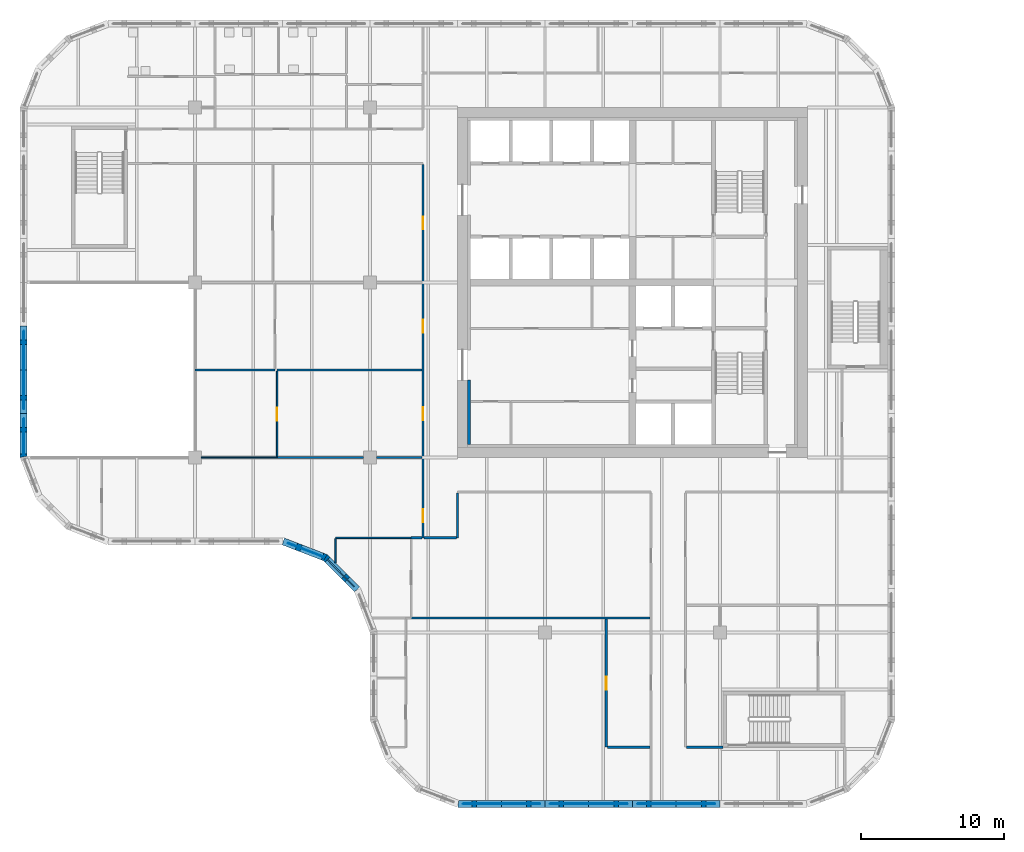
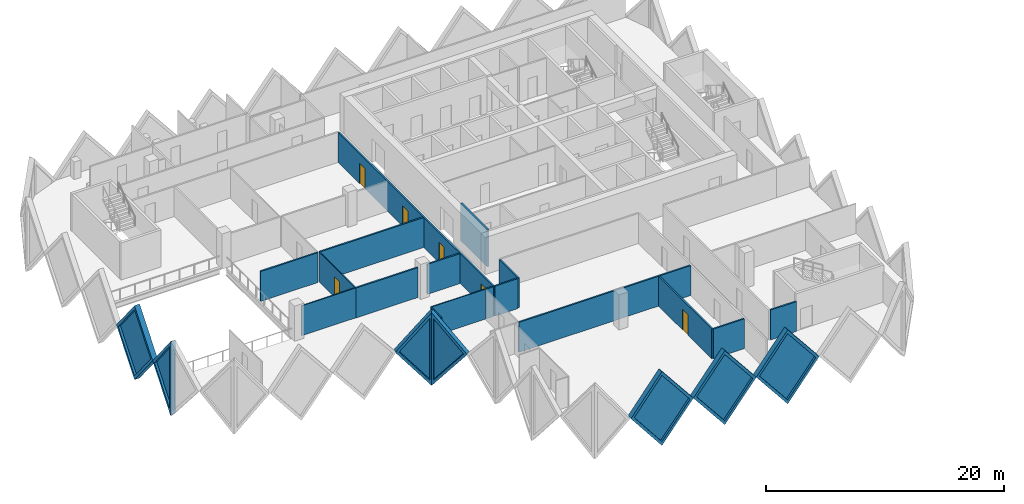
# One storey, part 4 of 13: 24 walls, 7 plates, 6 doors, 13 openings.
"""IFC4 building model written with IfcOpenShell, lengths in metres."""

from ifc_helpers import new_model, si_unit, direction, frame, frame_2d, origin, place, context, subcontext, project, spatial, polyline, rectangle, outline, extrude, faceted_brep, source, transform, mapped, material, layer, layer_set, type_object, element, fill, save


model = new_model("IFC4")

# Units and contexts
model_context = context("Model", 3, precision=1e-05, world=origin(), true_north=direction((0.0, 1.0)))
body_context = subcontext(model_context, "Body", "Model", "MODEL_VIEW")
ifc_project = project(units=[si_unit("LENGTHUNIT", "METRE"), si_unit("AREAUNIT", "SQUARE_METRE"), si_unit("VOLUMEUNIT", "CUBIC_METRE"), si_unit("PLANEANGLEUNIT", "RADIAN"), si_unit("MASSUNIT", "GRAM", prefix="KILO")], contexts=[model_context])

# Site, building, storey
site_placement = place(None, origin())
site = spatial("IfcSite", under=ifc_project, at=site_placement, CompositionType="ELEMENT")
building_placement = place(site_placement, origin())
building = spatial("IfcBuilding", under=site, at=building_placement, Name="Tessera Gate Towers", CompositionType="ELEMENT")
storey_placement = place(building_placement, frame((0.0, 0.0, 116.39990234375)))
storey = spatial("IfcBuildingStorey", under=building, at=storey_placement, Name="L28", CompositionType="ELEMENT", Elevation=116.39990234375)

# Walls
ifc_material_1 = material(Name="Concrete C60/75", Category="concrete")
ifc_layer_1 = layer(ifc_material_1, 0.199951171875)
ifc_layer_set_1 = layer_set([ifc_layer_1], Name="CORE WALL THICKENING 200")
wall_type_1 = type_object("IfcWallType", Name="CORE WALL THICKENING 200", PredefinedType="SOLIDWALL", material=ifc_layer_set_1)
wall_1_placement = place(storey_placement, frame((31.300048828125, 25.300048828125, 0.0), z_axis=(0.0, 0.0, 1.0), x_axis=(0.0, 1.0, 0.0)))
element("IfcWall", 1, at=wall_1_placement, inside=storey, type_object=wall_type_1, Name="Core wall thickening W L28", PredefinedType="SOLIDWALL", context=body_context, shape_type="SweptSolid", body=[
    extrude(rectangle(XDim=4.5, YDim=0.199951171875, at=frame_2d((2.25, 0.0))), origin(), (0.0, 0.0, 1.0), 3.800048828125),
])
ifc_material_2 = material(Name="Gypsum board on steel studs, mineral wool", Category="steel")
ifc_layer_2 = layer(ifc_material_2, 0.14990234375)
ifc_layer_set_2 = layer_set([ifc_layer_2], Name="CORRIDOR WALL 150")
wall_type_2 = type_object("IfcWallType", Name="CORRIDOR WALL 150", PredefinedType="PARTITIONING", material=ifc_layer_set_2)
wall_2_placement = place(storey_placement, frame((46.47607421875, 4.199951171875, 0.0), z_axis=(0.0, 0.0, 1.0), x_axis=(1.0, 0.0, 0.0)))
element("IfcWall", 2, at=wall_2_placement, inside=storey, type_object=wall_type_2, Name="T1-L28-PW-008", PredefinedType="PARTITIONING", context=body_context, shape_type="SweptSolid", body=[
    extrude(rectangle(XDim=2.52392578125, YDim=0.14990234375, at=frame_2d((1.261962890625, 0.0))), origin(), (0.0, 0.0, 1.0), 3.067138671875),
])

# Wall, openings, doors
wall_3_placement = place(storey_placement, frame((28.10009765625, 18.800048828125, 0.0), z_axis=(0.0, 0.0, 1.0), x_axis=(0.0, 1.0, 0.0)))
wall_3 = element("IfcWall", 3, at=wall_3_placement, inside=storey, type_object=wall_type_2, Name="T1-L28-PW-021", PredefinedType="PARTITIONING", context=body_context, shape_type="SweptSolid", body=[
    extrude(rectangle(XDim=26.02392578125, YDim=0.14990234375, at=frame_2d((13.011962890625, 0.0))), origin(), (0.0, 0.0, 1.0), 3.067138671875),
])
shared_shape_1 = source(origin(), body_context, "Body", "SweptSolid", [
    extrude(rectangle(XDim=0.89990234375, YDim=2.10009765625, at=frame_2d((0.449951171875, 1.050048828125))), frame((0.0, 0.0849609375, 0.0), z_axis=(0.0, -1.0, 0.0), x_axis=(1.0, 0.0, 0.0)), (0.0, 0.0, 1.0), 0.169921875),
])
opening_1_placement = place(wall_3_placement, frame((1.10009765625, 0.0, 0.0)))
opening_1 = element("IfcOpeningElement", 4, at=opening_1_placement, cuts=wall_3, Name="Opening D890FD60-A10-01", PredefinedType="OPENING", context=body_context, shape_type="MappedRepresentation", body=[
    mapped(shared_shape_1, transform((0.0, 0.0, 0.0), scale=1.0)),
])
opening_2_placement = place(wall_3_placement, frame((14.301025390625, 0.0, 0.0)))
opening_2 = element("IfcOpeningElement", 5, at=opening_2_placement, cuts=wall_3, Name="Opening D890FD60-A10-02", PredefinedType="OPENING", context=body_context, shape_type="MappedRepresentation", body=[
    mapped(shared_shape_1, transform((0.0, 0.0, 0.0), scale=1.0)),
])
opening_3_placement = place(wall_3_placement, frame((8.199951171875, 0.0, 0.0)))
opening_3 = element("IfcOpeningElement", 6, at=opening_3_placement, cuts=wall_3, Name="Opening D890FD60-A10-03", PredefinedType="OPENING", context=body_context, shape_type="MappedRepresentation", body=[
    mapped(shared_shape_1, transform((0.0, 0.0, 0.0), scale=1.0)),
])
opening_4_placement = place(wall_3_placement, frame((21.5, 0.0, 0.0)))
opening_4 = element("IfcOpeningElement", 7, at=opening_4_placement, cuts=wall_3, Name="Opening D890FD60-A10-04", PredefinedType="OPENING", context=body_context, shape_type="MappedRepresentation", body=[
    mapped(shared_shape_1, transform((0.0, 0.0, 0.0), scale=1.0)),
])
ifc_material_3 = material(Name="Timber door leaf in steel frame", Category="steel")
door_type_1 = type_object("IfcDoorType", Name="CORRIDOR DOOR 900 FD60", OperationType="NOTDEFINED", PredefinedType="DOOR", material=ifc_material_3)
shared_shape_2 = source(origin(), body_context, "Body", "SweptSolid", [
    extrude(rectangle(XDim=0.89990234375, YDim=2.10009765625, at=frame_2d((0.449951171875, 1.050048828125))), frame((0.0, 0.02490234375, 0.0), z_axis=(0.0, -1.0, 0.0), x_axis=(1.0, 0.0, 0.0)), (0.0, 0.0, 1.0), 0.050048828125),
])
door_1_placement = place(opening_1_placement, origin())
door_1 = element("IfcDoor", 8, at=door_1_placement, inside=storey, type_object=door_type_1, Name="T1-L28-PD-001", OperationType="SINGLE_SWING_LEFT", OverallHeight=2.10009765625, OverallWidth=0.89990234375, PredefinedType="DOOR", context=body_context, shape_type="MappedRepresentation", body=[
    mapped(shared_shape_2, transform((0.0, 0.0, 0.0), scale=1.0)),
])
fill(opening_1, door_1)
door_2_placement = place(opening_2_placement, origin())
door_2 = element("IfcDoor", 9, at=door_2_placement, inside=storey, type_object=door_type_1, Name="T1-L28-PD-014", OperationType="SINGLE_SWING_LEFT", OverallHeight=2.10009765625, OverallWidth=0.89990234375, PredefinedType="DOOR", context=body_context, shape_type="MappedRepresentation", body=[
    mapped(shared_shape_2, transform((0.0, 0.0, 0.0), scale=1.0)),
])
fill(opening_2, door_2)
door_3_placement = place(opening_3_placement, origin())
door_3 = element("IfcDoor", 10, at=door_3_placement, inside=storey, type_object=door_type_1, Name="T1-L28-PD-017", OperationType="SINGLE_SWING_LEFT", OverallHeight=2.10009765625, OverallWidth=0.89990234375, PredefinedType="DOOR", context=body_context, shape_type="MappedRepresentation", body=[
    mapped(shared_shape_2, transform((0.0, 0.0, 0.0), scale=1.0)),
])
fill(opening_3, door_3)
door_4_placement = place(opening_4_placement, origin())
door_4 = element("IfcDoor", 11, at=door_4_placement, inside=storey, type_object=door_type_1, Name="T1-L28-PD-020", OperationType="SINGLE_SWING_LEFT", OverallHeight=2.10009765625, OverallWidth=0.89990234375, PredefinedType="DOOR", context=body_context, shape_type="MappedRepresentation", body=[
    mapped(shared_shape_2, transform((0.0, 0.0, 0.0), scale=1.0)),
])
fill(opening_4, door_4)

# Walls
wall_4_placement = place(storey_placement, frame((28.176025390625, 18.800048828125, 0.0), z_axis=(0.0, 0.0, 1.0), x_axis=(1.0, 0.0, 0.0)))
element("IfcWall", 12, at=wall_4_placement, inside=storey, type_object=wall_type_2, Name="T1-L28-PW-022", PredefinedType="PARTITIONING", context=body_context, shape_type="SweptSolid", body=[
    extrude(rectangle(XDim=2.248046875, YDim=0.14990234375, at=frame_2d((1.1240234375, 0.0))), origin(), (0.0, 0.0, 1.0), 3.067138671875),
])
wall_5_placement = place(storey_placement, frame((30.5, 18.800048828125, 0.0), z_axis=(0.0, 0.0, 1.0), x_axis=(0.0, 1.0, 0.0)))
element("IfcWall", 13, at=wall_5_placement, inside=storey, type_object=wall_type_2, Name="T1-L28-PW-023", PredefinedType="PARTITIONING", context=body_context, shape_type="SweptSolid", body=[
    extrude(rectangle(XDim=3.1240234375, YDim=0.14990234375, at=frame_2d((1.56201171875, 0.0))), origin(), (0.0, 0.0, 1.0), 3.067138671875),
])
ifc_material_4 = material(Name="Glass", Category="glass")
ifc_layer_3 = layer(ifc_material_4, 0.10009765625)
ifc_layer_set_3 = layer_set([ifc_layer_3], Name="GLAZED PARTITION 100")
wall_type_3 = type_object("IfcWallType", Name="GLAZED PARTITION 100", PredefinedType="PARTITIONING", material=ifc_layer_set_3)
wall_6_placement = place(storey_placement, frame((22.0, 17.054931640625, 0.0), z_axis=(0.0, 0.0, 1.0), x_axis=(0.0, 1.0, 0.0)))
element("IfcWall", 14, at=wall_6_placement, inside=storey, type_object=wall_type_3, Name="T1-L28-PW-018", PredefinedType="PARTITIONING", context=body_context, shape_type="SweptSolid", body=[
    extrude(rectangle(XDim=1.694091796875, YDim=0.10009765625, at=frame_2d((0.84716796875, 0.0))), origin(), (0.0, 0.0, 1.0), 3.067138671875),
])
wall_7_placement = place(storey_placement, frame((22.0, 18.800048828125, 0.0), z_axis=(0.0, 0.0, 1.0), x_axis=(1.0, 0.0, 0.0)))
element("IfcWall", 15, at=wall_7_placement, inside=storey, type_object=wall_type_3, Name="T1-L28-PW-019", PredefinedType="PARTITIONING", context=body_context, shape_type="SweptSolid", body=[
    extrude(rectangle(XDim=5.27392578125, YDim=0.10009765625, at=frame_2d((2.636962890625, 0.0))), origin(), (0.0, 0.0, 1.0), 3.067138671875),
])
wall_8_placement = place(storey_placement, frame((12.65087890625, 24.39990234375, 0.0), z_axis=(0.0, 0.0, 1.0), x_axis=(1.0, 0.0, 0.0)))
element("IfcWall", 16, at=wall_8_placement, inside=storey, type_object=wall_type_3, Name="T1-L28-PW-029", PredefinedType="PARTITIONING", context=body_context, shape_type="SweptSolid", body=[
    extrude(rectangle(XDim=5.273193359375, YDim=0.10009765625, at=frame_2d((2.63671875, 0.0))), origin(), (0.0, 0.0, 1.0), 3.067138671875),
])

# Wall, opening, door
wall_9_placement = place(storey_placement, frame((17.925048828125, 24.47607421875, 0.0), z_axis=(0.0, 0.0, 1.0), x_axis=(0.0, 1.0, 0.0)))
wall_9 = element("IfcWall", 17, at=wall_9_placement, inside=storey, type_object=wall_type_3, Name="T1-L28-PW-032", PredefinedType="PARTITIONING", context=body_context, shape_type="SweptSolid", body=[
    extrude(rectangle(XDim=5.947998046875, YDim=0.10009765625, at=frame_2d((2.97412109375, 0.0))), origin(), (0.0, 0.0, 1.0), 3.067138671875),
])
shared_shape_3 = source(origin(), body_context, "Body", "SweptSolid", [
    extrude(rectangle(XDim=0.89990234375, YDim=2.10009765625, at=frame_2d((0.449951171875, 1.050048828125))), frame((0.0, 0.06005859375, 0.0), z_axis=(0.0, -1.0, 0.0), x_axis=(1.0, 0.0, 0.0)), (0.0, 0.0, 1.0), 0.1201171875),
])
opening_5_placement = place(wall_9_placement, frame((2.5, 0.0, 0.0)))
opening_5 = element("IfcOpeningElement", 18, at=opening_5_placement, cuts=wall_9, Name="Opening D690-A10-04", PredefinedType="OPENING", context=body_context, shape_type="MappedRepresentation", body=[
    mapped(shared_shape_3, transform((0.0, 0.0, 0.0), scale=1.0)),
])
ifc_material_5 = material(Name="Glass in aluminium frame", Category="aluminium")
door_type_2 = type_object("IfcDoorType", Name="GLAZED DOOR 900 NOT RATED", OperationType="NOTDEFINED", PredefinedType="DOOR", material=ifc_material_5)
door_5_placement = place(opening_5_placement, origin())
door_5 = element("IfcDoor", 19, at=door_5_placement, inside=storey, type_object=door_type_2, Name="T1-L28-PD-011", OperationType="SINGLE_SWING_LEFT", OverallHeight=2.10009765625, OverallWidth=0.89990234375, PredefinedType="DOOR", context=body_context, shape_type="MappedRepresentation", body=[
    mapped(shared_shape_2, transform((0.0, 0.0, 0.0), scale=1.0)),
])
fill(opening_5, door_5)

ifc_material_6 = material(Name="Gypsum board on steel studs, mineral wool", Category="steel")
ifc_layer_4 = layer(ifc_material_6, 0.14990234375)
ifc_layer_set_4 = layer_set([ifc_layer_4], Name="TENANCY WALL 150")
wall_type_4 = type_object("IfcWallType", Name="TENANCY WALL 150", PredefinedType="PARTITIONING", material=ifc_layer_set_4)
wall_10_placement = place(storey_placement, frame((40.875, 4.199951171875, 0.0), z_axis=(0.0, 0.0, 1.0), x_axis=(0.0, 1.0, 0.0)))
wall_10 = element("IfcWall", 20, at=wall_10_placement, inside=storey, type_object=wall_type_4, Name="T1-L28-PW-005", PredefinedType="PARTITIONING", context=body_context, shape_type="SweptSolid", body=[
    extrude(rectangle(XDim=8.924072265625, YDim=0.14990234375, at=frame_2d((4.4619140625, 0.0))), origin(), (0.0, 0.0, 1.0), 3.067138671875),
])
opening_6_placement = place(wall_10_placement, frame((4.0, 0.0, 0.0)))
opening_6 = element("IfcOpeningElement", 21, at=opening_6_placement, cuts=wall_10, Name="Opening D190-A10-07", PredefinedType="OPENING", context=body_context, shape_type="MappedRepresentation", body=[
    mapped(shared_shape_1, transform((0.0, 0.0, 0.0), scale=1.0)),
])
ifc_material_7 = material(Name="Timber door leaf in steel frame", Category="steel")
door_type_3 = type_object("IfcDoorType", Name="INTERNAL DOOR 900 NOT RATED", OperationType="NOTDEFINED", PredefinedType="DOOR", material=ifc_material_7)
door_6_placement = place(opening_6_placement, origin())
door_6 = element("IfcDoor", 22, at=door_6_placement, inside=storey, type_object=door_type_3, Name="T1-L28-PD-026", OperationType="SINGLE_SWING_LEFT", OverallHeight=2.10009765625, OverallWidth=0.89990234375, PredefinedType="DOOR", context=body_context, shape_type="MappedRepresentation", body=[
    mapped(shared_shape_2, transform((0.0, 0.0, 0.0), scale=1.0)),
])
fill(opening_6, door_6)

# Walls
wall_11_placement = place(storey_placement, frame((40.950927734375, 4.199951171875, 0.0), z_axis=(0.0, 0.0, 1.0), x_axis=(1.0, 0.0, 0.0)))
element("IfcWall", 23, at=wall_11_placement, inside=storey, type_object=wall_type_4, Name="T1-L28-PW-006", PredefinedType="PARTITIONING", context=body_context, shape_type="SweptSolid", body=[
    extrude(rectangle(XDim=2.97314453125, YDim=0.14990234375, at=frame_2d((1.486572265625, 0.0))), origin(), (0.0, 0.0, 1.0), 3.067138671875),
])
wall_12_placement = place(storey_placement, frame((27.27490234375, 13.199951171875, 0.0), z_axis=(0.0, 0.0, 1.0), x_axis=(1.0, 0.0, 0.0)))
element("IfcWall", 24, at=wall_12_placement, inside=storey, type_object=wall_type_4, Name="T1-L28-PW-014", PredefinedType="PARTITIONING", context=body_context, shape_type="SweptSolid", body=[
    extrude(rectangle(XDim=16.649169921875, YDim=0.14990234375, at=frame_2d((8.32470703125, 0.0))), origin(), (0.0, 0.0, 1.0), 3.067138671875),
])
wall_13_placement = place(storey_placement, frame((27.27490234375, 18.800048828125, 0.0), z_axis=(0.0, 0.0, 1.0), x_axis=(1.0, 0.0, 0.0)))
element("IfcWall", 25, at=wall_13_placement, inside=storey, type_object=wall_type_4, Name="T1-L28-PW-020", PredefinedType="PARTITIONING", context=body_context, shape_type="SweptSolid", body=[
    extrude(rectangle(XDim=0.7490234375, YDim=0.14990234375, at=frame_2d((0.37451171875, 0.0))), origin(), (0.0, 0.0, 1.0), 3.067138671875),
])
wall_14_placement = place(storey_placement, frame((17.925048828125, 24.39990234375, 0.0), z_axis=(0.0, 0.0, 1.0), x_axis=(1.0, 0.0, 0.0)))
element("IfcWall", 26, at=wall_14_placement, inside=storey, type_object=wall_type_4, Name="T1-L28-PW-030", PredefinedType="PARTITIONING", context=body_context, shape_type="SweptSolid", body=[
    extrude(rectangle(XDim=6.02392578125, YDim=0.14990234375, at=frame_2d((3.011962890625, 0.0))), origin(), (0.0, 0.0, 1.0), 3.067138671875),
])
wall_15_placement = place(storey_placement, frame((24.85107421875, 24.39990234375, 0.0), z_axis=(0.0, 0.0, 1.0), x_axis=(1.0, 0.0, 0.0)))
element("IfcWall", 27, at=wall_15_placement, inside=storey, type_object=wall_type_4, Name="T1-L28-PW-031", PredefinedType="PARTITIONING", context=body_context, shape_type="SweptSolid", body=[
    extrude(rectangle(XDim=3.1728515625, YDim=0.14990234375, at=frame_2d((1.58642578125, 0.0))), origin(), (0.0, 0.0, 1.0), 3.067138671875),
])
wall_16_placement = place(storey_placement, frame((12.199951171875, 30.5, 0.0), z_axis=(0.0, 0.0, 1.0), x_axis=(1.0, 0.0, 0.0)))
element("IfcWall", 28, at=wall_16_placement, inside=storey, type_object=wall_type_4, Name="T1-L28-PW-033", PredefinedType="PARTITIONING", context=body_context, shape_type="SweptSolid", body=[
    extrude(rectangle(XDim=5.574951171875, YDim=0.14990234375, at=frame_2d((2.78759765625, 0.0))), origin(), (0.0, 0.0, 1.0), 3.067138671875),
])
wall_17_placement = place(storey_placement, frame((17.925048828125, 30.5, 0.0), z_axis=(0.0, 0.0, 1.0), x_axis=(1.0, 0.0, 0.0)))
element("IfcWall", 29, at=wall_17_placement, inside=storey, type_object=wall_type_4, Name="T1-L28-PW-034", PredefinedType="PARTITIONING", context=body_context, shape_type="SweptSolid", body=[
    extrude(rectangle(XDim=10.098876953125, YDim=0.14990234375, at=frame_2d((5.04931640625, 0.0))), origin(), (0.0, 0.0, 1.0), 3.067138671875),
])

# Wall, opening, plate
ifc_material_8 = material(Name="Precast concrete C60/75 white", Category="concrete")
ifc_layer_5 = layer(ifc_material_8, 0.5)
ifc_layer_set_5 = layer_set([ifc_layer_5], Name="TS1 tessera")
wall_type_5 = type_object("IfcWallType", Name="TS1 tessera", PredefinedType="SOLIDWALL", material=ifc_layer_set_5)
shared_shape_4 = source(origin(), body_context, "Body", "Brep", [
    faceted_brep([(3.050048828125, -0.25, 0.0), (6.099853515625, -0.25, 3.799560546875), (6.099853515625, -0.25, 3.800048828125), (3.050048828125, -0.25, 7.599853515625), (0.0, -0.25, 3.7998046875), (0.0, 0.25, 3.7998046875), (3.050048828125, 0.25, 7.599853515625), (6.099853515625, 0.25, 3.800048828125), (6.099853515625, 0.25, 3.799560546875), (3.050048828125, 0.25, 0.0)], [[[0, 1, 2, 3, 4]], [[5, 6, 7, 8, 9]], [[9, 8, 1, 0]], [[7, 6, 3, 2]], [[6, 5, 4, 3]], [[5, 9, 0, 4]], [[1, 8, 7, 2]]]),
])
wall_18_placement = place(storey_placement, frame((36.60009765625, 0.25, -3.7998046875), z_axis=(0.0, 0.0, 1.0), x_axis=(1.0, 0.0, 0.0)))
wall_18 = element("IfcWall", 30, at=wall_18_placement, inside=storey, type_object=wall_type_5, Name="Precast tessera T1 TS1-0438", PredefinedType="SOLIDWALL", context=body_context, shape_type="MappedRepresentation", body=[
    mapped(shared_shape_4, transform((0.0, 0.0, 0.0), scale=1.0)),
])
shared_shape_5 = source(origin(), body_context, "Body", "SweptSolid", [
    extrude(outline(polyline([(3.050048828125, 0.3994140625), (5.779541015625, 3.7998046875), (3.050048828125, 7.200439453125), (0.320556640625, 3.7998046875), (3.050048828125, 0.3994140625)])), frame((0.0, 0.260009765625, 0.0), z_axis=(0.0, -1.0, 0.0), x_axis=(1.0, 0.0, 0.0)), (0.0, 0.0, 1.0), 0.52001953125),
])
opening_7_placement = place(wall_18_placement, origin())
opening_7 = element("IfcOpeningElement", 31, at=opening_7_placement, cuts=wall_18, Name="Opening T1-PL2-0894", PredefinedType="OPENING", context=body_context, shape_type="MappedRepresentation", body=[
    mapped(shared_shape_5, transform((0.0, 0.0, 0.0), scale=1.0)),
])
ifc_material_9 = material(Name="Low-e laminated glass", Category="glass")
ifc_layer_6 = layer(ifc_material_9, 0.06005859375)
ifc_layer_set_6 = layer_set([ifc_layer_6], Name="PL2 rhombic pane")
plate_type = type_object("IfcPlateType", Name="PL2 rhombic pane", PredefinedType="SHEET", material=ifc_layer_set_6)
shared_shape_6 = source(origin(), body_context, "Body", "SweptSolid", [
    extrude(outline(polyline([(3.050048828125, 0.3994140625), (5.779541015625, 3.7998046875), (3.050048828125, 7.200439453125), (0.320556640625, 3.7998046875), (3.050048828125, 0.3994140625)])), frame((0.0, 0.030029296875, 0.0), z_axis=(0.0, -1.0, 0.0), x_axis=(1.0, 0.0, 0.0)), (0.0, 0.0, 1.0), 0.06005859375),
])
plate_1_placement = place(opening_7_placement, origin())
plate_1 = element("IfcPlate", 32, at=plate_1_placement, inside=storey, type_object=plate_type, Name="Glass pane T1 PL2-0894", PredefinedType="SHEET", context=body_context, shape_type="MappedRepresentation", body=[
    mapped(shared_shape_6, transform((0.0, 0.0, 0.0), scale=1.0)),
])
fill(opening_7, plate_1)

shared_shape_7 = source(origin(), body_context, "Body", "SweptSolid", [
    extrude(outline(polyline([(3.050048828125, 0.0), (6.10009765625, 3.7998046875), (3.050048828125, 7.599853515625), (0.0, 3.7998046875), (3.050048828125, 0.0)])), frame((0.0, 0.25, 0.0), z_axis=(0.0, -1.0, 0.0), x_axis=(1.0, 0.0, 0.0)), (0.0, 0.0, 1.0), 0.5),
])
wall_19_placement = place(storey_placement, frame((42.699951171875, 0.25, -3.7998046875), z_axis=(0.0, 0.0, 1.0), x_axis=(1.0, 0.0, 0.0)))
wall_19 = element("IfcWall", 33, at=wall_19_placement, inside=storey, type_object=wall_type_5, Name="Precast tessera T1 TS1-0439", PredefinedType="SOLIDWALL", context=body_context, shape_type="MappedRepresentation", body=[
    mapped(shared_shape_7, transform((0.0, 0.0, 0.0), scale=1.0)),
])
opening_8_placement = place(wall_19_placement, origin())
opening_8 = element("IfcOpeningElement", 34, at=opening_8_placement, cuts=wall_19, Name="Opening T1-PL2-0895", PredefinedType="OPENING", context=body_context, shape_type="MappedRepresentation", body=[
    mapped(shared_shape_5, transform((0.0, 0.0, 0.0), scale=1.0)),
])
plate_2_placement = place(opening_8_placement, origin())
plate_2 = element("IfcPlate", 35, at=plate_2_placement, inside=storey, type_object=plate_type, Name="Glass pane T1 PL2-0895", PredefinedType="SHEET", context=body_context, shape_type="MappedRepresentation", body=[
    mapped(shared_shape_6, transform((0.0, 0.0, 0.0), scale=1.0)),
])
fill(opening_8, plate_2)

wall_20_placement = place(storey_placement, frame((0.25, 33.550048828125, -3.7998046875), z_axis=(0.0, 0.0, 1.0), x_axis=(0.0, -1.0, 0.0)))
wall_20 = element("IfcWall", 36, at=wall_20_placement, inside=storey, type_object=wall_type_5, Name="Precast tessera T1 TS1-0457", PredefinedType="SOLIDWALL", context=body_context, shape_type="MappedRepresentation", body=[
    mapped(shared_shape_7, transform((0.0, 0.0, 0.0), scale=1.0)),
])
opening_9_placement = place(wall_20_placement, origin())
opening_9 = element("IfcOpeningElement", 37, at=opening_9_placement, cuts=wall_20, Name="Opening T1-PL2-0925", PredefinedType="OPENING", context=body_context, shape_type="MappedRepresentation", body=[
    mapped(shared_shape_5, transform((0.0, 0.0, 0.0), scale=1.0)),
])
plate_3_placement = place(opening_9_placement, origin())
plate_3 = element("IfcPlate", 38, at=plate_3_placement, inside=storey, type_object=plate_type, Name="Glass pane T1 PL2-0925", PredefinedType="SHEET", context=body_context, shape_type="MappedRepresentation", body=[
    mapped(shared_shape_6, transform((0.0, 0.0, 0.0), scale=1.0)),
])
fill(opening_9, plate_3)

ifc_material_10 = material(Name="Precast concrete C60/75 white", Category="concrete")
ifc_layer_7 = layer(ifc_material_10, 0.5)
ifc_layer_set_7 = layer_set([ifc_layer_7], Name="TS3 corner tessera")
wall_type_6 = type_object("IfcWallType", Name="TS3 corner tessera", PredefinedType="SOLIDWALL", material=ifc_layer_set_7)
shared_shape_8 = source(origin(), body_context, "Body", "Brep", [
    faceted_brep([(3.00341796875, -0.25, 0.0), (3.050048828125, -0.25, 0.06005859375), (3.050048828125, -0.25, 7.539794921875), (3.00341796875, -0.25, 7.599853515625), (0.0, -0.25, 3.7998046875), (0.0, 0.25, 3.7998046875), (2.956787109375, 0.25, 7.541015625), (2.956787109375, 0.25, 0.058837890625), (3.00341796875, 0.000244140625, 0.0), (3.00341796875, 0.000244140625, 7.599853515625)], [[[0, 1, 2, 3, 4]], [[5, 6, 7]], [[1, 0, 8]], [[9, 3, 2]], [[6, 5, 4, 3, 9]], [[5, 7, 8, 0, 4]], [[1, 8, 7, 6, 9, 2]]]),
])
wall_21_placement = place(storey_placement, frame((0.25, 27.449951171875, -3.7998046875), z_axis=(0.0, 0.0, 1.0), x_axis=(0.0, -1.0, 0.0)))
wall_21 = element("IfcWall", 39, at=wall_21_placement, inside=storey, type_object=wall_type_6, Name="Precast corner tessera T1 TS3-0637", PredefinedType="SOLIDWALL", context=body_context, shape_type="MappedRepresentation", body=[
    mapped(shared_shape_8, transform((0.0, 0.0, 0.0), scale=1.0)),
])
shared_shape_9 = source(origin(), body_context, "Body", "SweptSolid", [
    extrude(outline(polyline([(2.803466796875, 6.943603515625), (0.318603515625, 3.7998046875), (2.803466796875, 0.656005859375), (2.803466796875, 6.943603515625)])), frame((0.0, 0.260009765625, 0.0), z_axis=(0.0, -1.0, 0.0), x_axis=(1.0, 0.0, 0.0)), (0.0, 0.0, 1.0), 0.52001953125),
])
opening_10_placement = place(wall_21_placement, origin())
opening_10 = element("IfcOpeningElement", 40, at=opening_10_placement, cuts=wall_21, Name="Opening T1-PL2-0926", PredefinedType="OPENING", context=body_context, shape_type="MappedRepresentation", body=[
    mapped(shared_shape_9, transform((0.0, 0.0, 0.0), scale=1.0)),
])
shared_shape_10 = source(origin(), body_context, "Body", "SweptSolid", [
    extrude(outline(polyline([(2.803466796875, 6.943603515625), (0.318603515625, 3.7998046875), (2.803466796875, 0.656005859375), (2.803466796875, 6.943603515625)])), frame((0.0, 0.030029296875, 0.0), z_axis=(0.0, -1.0, 0.0), x_axis=(1.0, 0.0, 0.0)), (0.0, 0.0, 1.0), 0.06005859375),
])
plate_4_placement = place(opening_10_placement, origin())
plate_4 = element("IfcPlate", 41, at=plate_4_placement, inside=storey, type_object=plate_type, Name="Glass pane T1 PL2-0926", PredefinedType="SHEET", context=body_context, shape_type="MappedRepresentation", body=[
    mapped(shared_shape_10, transform((0.0, 0.0, 0.0), scale=1.0)),
])
fill(opening_10, plate_4)

shared_shape_11 = source(origin(), body_context, "Body", "Brep", [
    faceted_brep([(3.00341796875, -0.25, 0.0), (6.053466796875, -0.25, 3.7998046875), (3.00341796875, -0.25, 7.599853515625), (0.0, -0.25, 3.7998046875), (0.046630859375, 0.25, 3.858642578125), (3.00341796875, 0.25, 7.599853515625), (6.053466796875, 0.25, 3.7998046875), (3.00341796875, 0.25, 0.0), (0.046630859375, 0.25, 3.740966796875), (0.0, 0.0, 3.7998046875)], [[[0, 1, 2, 3]], [[4, 5, 6, 7, 8]], [[7, 6, 1, 0]], [[6, 5, 2, 1]], [[5, 4, 9, 3, 2]], [[8, 7, 0, 3, 9]], [[8, 9, 4]]]),
])
wall_22_placement = place(storey_placement, frame((30.546630859375, 0.25, -3.7998046875), z_axis=(0.0, 0.0, 1.0), x_axis=(1.0, 0.0, 0.0)))
wall_22 = element("IfcWall", 42, at=wall_22_placement, inside=storey, type_object=wall_type_5, Name="Precast tessera T1 TS1-0437", PredefinedType="SOLIDWALL", context=body_context, shape_type="MappedRepresentation", body=[
    mapped(shared_shape_11, transform((0.0, 0.0, 0.0), scale=1.0)),
])
shared_shape_12 = source(origin(), body_context, "Body", "SweptSolid", [
    extrude(outline(polyline([(3.0048828125, 0.401123046875), (5.73291015625, 3.7998046875), (3.0048828125, 7.19873046875), (0.318603515625, 3.7998046875), (3.0048828125, 0.401123046875)])), frame((0.0, 0.260009765625, 0.0), z_axis=(0.0, -1.0, 0.0), x_axis=(1.0, 0.0, 0.0)), (0.0, 0.0, 1.0), 0.52001953125),
])
opening_11_placement = place(wall_22_placement, origin())
opening_11 = element("IfcOpeningElement", 43, at=opening_11_placement, cuts=wall_22, Name="Opening T1-PL2-0893", PredefinedType="OPENING", context=body_context, shape_type="MappedRepresentation", body=[
    mapped(shared_shape_12, transform((0.0, 0.0, 0.0), scale=1.0)),
])
shared_shape_13 = source(origin(), body_context, "Body", "SweptSolid", [
    extrude(outline(polyline([(3.0048828125, 0.401123046875), (5.73291015625, 3.7998046875), (3.0048828125, 7.19873046875), (0.318603515625, 3.7998046875), (3.0048828125, 0.401123046875)])), frame((0.0, 0.030029296875, 0.0), z_axis=(0.0, -1.0, 0.0), x_axis=(1.0, 0.0, 0.0)), (0.0, 0.0, 1.0), 0.06005859375),
])
plate_5_placement = place(opening_11_placement, origin())
plate_5 = element("IfcPlate", 44, at=plate_5_placement, inside=storey, type_object=plate_type, Name="Glass pane T1 PL2-0893", PredefinedType="SHEET", context=body_context, shape_type="MappedRepresentation", body=[
    mapped(shared_shape_13, transform((0.0, 0.0, 0.0), scale=1.0)),
])
fill(opening_11, plate_5)

shared_shape_14 = source(origin(), body_context, "Body", "Brep", [
    faceted_brep([(3.096435546875, -0.25, 7.5361328125), (0.046630859375, -0.25, 3.85595703125), (0.046630859375, -0.25, 3.74365234375), (3.096435546875, -0.25, 0.063720703125), (0.0, 0.25, 3.7998046875), (3.1494140625, 0.25, 7.599853515625), (3.202392578125, 0.25, 7.5361328125), (3.202392578125, 0.25, 0.063720703125), (3.1494140625, 0.25, 0.0), (3.1494140625, -0.000244140625, 0.0), (3.1494140625, -0.000244140625, 7.599853515625), (0.0, 0.0, 3.7998046875)], [[[0, 1, 2, 3]], [[4, 5, 6, 7, 8]], [[8, 7, 9]], [[6, 5, 10]], [[5, 4, 11, 1, 0, 10]], [[4, 8, 9, 3, 2, 11]], [[11, 2, 1]], [[3, 9, 7, 6, 10, 0]]]),
])
wall_23_placement = place(storey_placement, frame((18.346435546875, 18.550048828125, -3.7998046875), z_axis=(0.0, 0.0, 1.0), x_axis=(0.932985567668, -0.359913782069, 0.0)))
wall_23 = element("IfcWall", 45, at=wall_23_placement, inside=storey, type_object=wall_type_6, Name="Precast corner tessera T1 TS3-0641", PredefinedType="SOLIDWALL", context=body_context, shape_type="MappedRepresentation", body=[
    mapped(shared_shape_14, transform((0.0, 0.0, 0.0), scale=1.0)),
])
shared_shape_15 = source(origin(), body_context, "Body", "SweptSolid", [
    extrude(outline(polyline([(2.949462890625, 6.966796875), (0.32470703125, 3.7998046875), (2.949462890625, 0.633056640625), (2.949462890625, 6.966796875)])), frame((0.0, 0.260009765625, 0.0), z_axis=(0.0, -1.0, 0.0), x_axis=(1.0, 0.0, 0.0)), (0.0, 0.0, 1.0), 0.52001953125),
])
opening_12_placement = place(wall_23_placement, origin())
opening_12 = element("IfcOpeningElement", 46, at=opening_12_placement, cuts=wall_23, Name="Opening T1-PL2-0932", PredefinedType="OPENING", context=body_context, shape_type="MappedRepresentation", body=[
    mapped(shared_shape_15, transform((0.0, 0.0, 0.0), scale=1.0)),
])
shared_shape_16 = source(origin(), body_context, "Body", "SweptSolid", [
    extrude(outline(polyline([(2.949462890625, 6.966796875), (0.32470703125, 3.7998046875), (2.949462890625, 0.633056640625), (2.949462890625, 6.966796875)])), frame((0.0, 0.030029296875, 0.0), z_axis=(0.0, -1.0, 0.0), x_axis=(1.0, 0.0, 0.0)), (0.0, 0.0, 1.0), 0.06005859375),
])
plate_6_placement = place(opening_12_placement, origin())
plate_6 = element("IfcPlate", 47, at=plate_6_placement, inside=storey, type_object=plate_type, Name="Glass pane T1 PL2-0932", PredefinedType="SHEET", context=body_context, shape_type="MappedRepresentation", body=[
    mapped(shared_shape_16, transform((0.0, 0.0, 0.0), scale=1.0)),
])
fill(opening_12, plate_6)

shared_shape_17 = source(origin(), body_context, "Body", "Brep", [
    faceted_brep([(0.10595703125, -0.25, 0.063720703125), (3.156005859375, -0.25, 3.736083984375), (3.156005859375, -0.25, 3.863525390625), (0.10595703125, -0.25, 7.5361328125), (0.0, 0.25, 7.535888671875), (0.052978515625, 0.25, 7.599853515625), (3.208740234375, 0.25, 3.7998046875), (0.052978515625, 0.25, 0.0), (0.0, 0.25, 0.06396484375), (3.208740234375, -0.00048828125, 3.7998046875), (0.052978515625, 0.0, 0.0), (0.052978515625, 0.0, 7.599853515625)], [[[0, 1, 2, 3]], [[4, 5, 6, 7, 8]], [[7, 6, 9, 1, 0, 10]], [[6, 5, 11, 3, 2, 9]], [[5, 4, 11]], [[8, 7, 10]], [[8, 10, 0, 3, 11, 4]], [[1, 9, 2]]]),
])
wall_24_placement = place(storey_placement, frame((21.24755859375, 17.453857421875, -3.7998046875), z_axis=(0.0, 0.0, 1.0), x_axis=(0.707106781187, -0.707106781187, 0.0)))
wall_24 = element("IfcWall", 48, at=wall_24_placement, inside=storey, type_object=wall_type_6, Name="Precast corner tessera T1 TS3-0642", PredefinedType="SOLIDWALL", context=body_context, shape_type="MappedRepresentation", body=[
    mapped(shared_shape_17, transform((0.0, 0.0, 0.0), scale=1.0)),
])
shared_shape_18 = source(origin(), body_context, "Body", "SweptSolid", [
    extrude(outline(polyline([(0.2529296875, 0.632080078125), (2.8837890625, 3.7998046875), (0.2529296875, 6.9677734375), (0.2529296875, 0.632080078125)])), frame((0.0, 0.260009765625, 0.0), z_axis=(0.0, -1.0, 0.0), x_axis=(1.0, 0.0, 0.0)), (0.0, 0.0, 1.0), 0.52001953125),
])
opening_13_placement = place(wall_24_placement, origin())
opening_13 = element("IfcOpeningElement", 49, at=opening_13_placement, cuts=wall_24, Name="Opening T1-PL2-0933", PredefinedType="OPENING", context=body_context, shape_type="MappedRepresentation", body=[
    mapped(shared_shape_18, transform((0.0, 0.0, 0.0), scale=1.0)),
])
shared_shape_19 = source(origin(), body_context, "Body", "SweptSolid", [
    extrude(outline(polyline([(0.2529296875, 0.632080078125), (2.8837890625, 3.7998046875), (0.2529296875, 6.9677734375), (0.2529296875, 0.632080078125)])), frame((0.0, 0.030029296875, 0.0), z_axis=(0.0, -1.0, 0.0), x_axis=(1.0, 0.0, 0.0)), (0.0, 0.0, 1.0), 0.06005859375),
])
plate_7_placement = place(opening_13_placement, origin())
plate_7 = element("IfcPlate", 50, at=plate_7_placement, inside=storey, type_object=plate_type, Name="Glass pane T1 PL2-0933", PredefinedType="SHEET", context=body_context, shape_type="MappedRepresentation", body=[
    mapped(shared_shape_19, transform((0.0, 0.0, 0.0), scale=1.0)),
])
fill(opening_13, plate_7)

save(model, "model.ifc")
